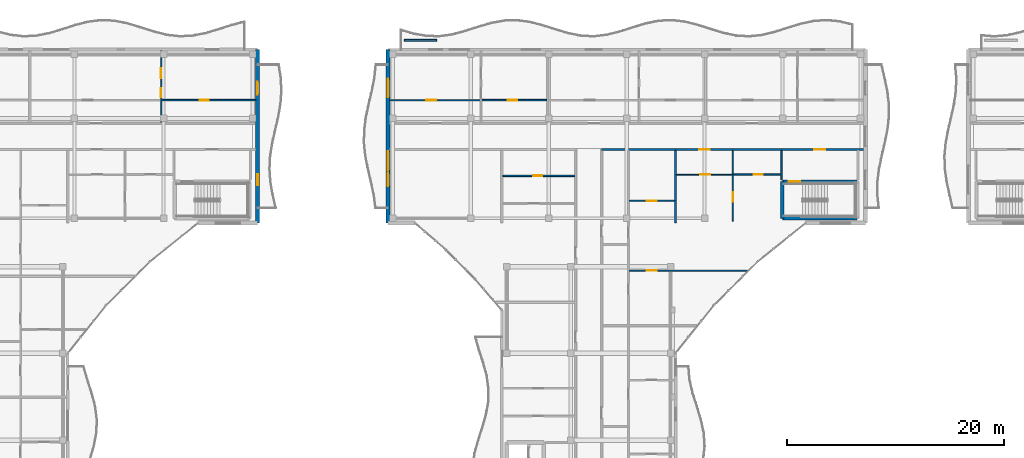
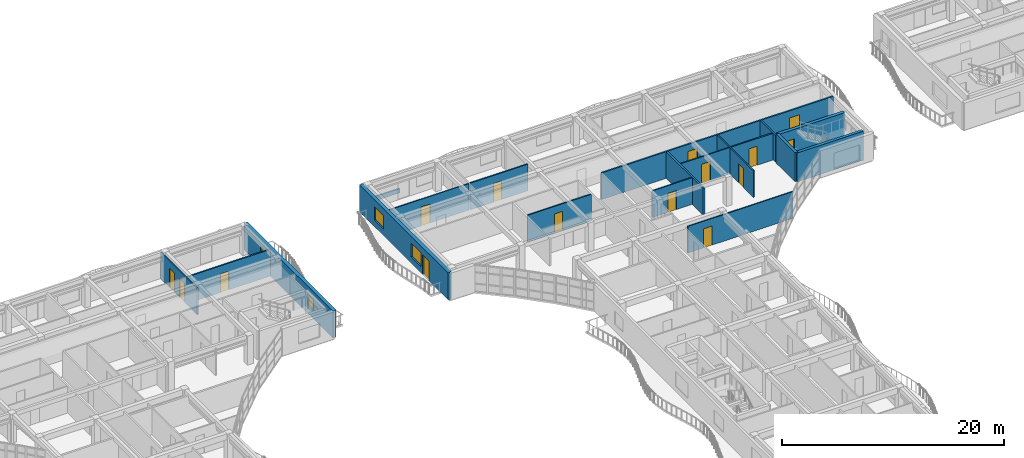
# One storey, part 47 of 79: 19 walls, 16 doors, 3 windows, 19 openings.
"""IFC4 building model written with IfcOpenShell, lengths in metres."""

import ifcopenshell
import ifcopenshell.guid

model = None  # the IFC model being written
_history = None  # IfcOwnerHistory: only IFC2X3 demands one
_inside = {}  # id of a spatial element -> (the spatial element, [elements in it])
_under = {}  # id of a project, library or spatial element -> (it, [spatial elements below it])
_declared = {}  # id of a project -> (the project, [libraries it declares])
_typed = {}  # id of a type object -> (the type object, [elements of that type])
_made_of = {}  # id of a material, layer set ... -> (it, [elements and type objects made of it])


def new_model(schema):
    """Start an empty IFC model of exactly this schema.

    Asked for "IFC4X3", IfcOpenShell would pick the latest addendum, in which some entities
    have other attributes; the version numbers below select the first issue.
    IFC2X3 requires an IfcOwnerHistory on every rooted entity: one is made here for all.
    """
    global model, _history
    if schema == "IFC4X3":
        model = ifcopenshell.file(schema_version=(4, 3, 0, 0))
    else:
        model = ifcopenshell.file(schema=schema)
    _inside.clear()
    _under.clear()
    _declared.clear()
    _typed.clear()
    _made_of.clear()
    _history = None
    if model.schema == "IFC2X3":
        org = make("IfcOrganization", Name="unknown")
        user = make(
            "IfcPersonAndOrganization",
            ThePerson=make("IfcPerson", FamilyName="unknown"),
            TheOrganization=org,
        )
        app = make(
            "IfcApplication",
            ApplicationDeveloper=org,
            Version="unknown",
            ApplicationFullName="unknown",
            ApplicationIdentifier="unknown",
        )
        _history = make(
            "IfcOwnerHistory",
            OwningUser=user,
            OwningApplication=app,
            ChangeAction="ADDED",
            CreationDate=0,
        )
    return model


def make(cls, **values):
    """One entity of the class cls with the attributes given. An attribute that is None is left unset."""
    return model.create_entity(
        cls, **{name: value for name, value in values.items() if value is not None}
    )


def rooted(cls, **values):
    """An entity with a GlobalId (a new one), such as an element, a storey or a relation."""
    return make(cls, GlobalId=ifcopenshell.guid.new(), OwnerHistory=_history, **values)


def si_unit(unit_type, name, prefix=None):
    """IfcSIUnit, for example si_unit("LENGTHUNIT", "METRE", prefix="MILLI")."""
    return make("IfcSIUnit", UnitType=unit_type, Prefix=prefix, Name=name)


def assignment(units):
    """IfcUnitAssignment: the units of a project."""
    return None if units is None else make("IfcUnitAssignment", Units=units)


def point(xyz):
    """IfcCartesianPoint."""
    return None if xyz is None else make("IfcCartesianPoint", Coordinates=xyz)


def direction(xyz):
    """IfcDirection."""
    return None if xyz is None else make("IfcDirection", DirectionRatios=xyz)


def frame(location, z_axis=None, x_axis=None):
    """IfcAxis2Placement3D, a coordinate frame: its origin and axes. An axis left out is left unset."""
    return make(
        "IfcAxis2Placement3D",
        Location=point(location),
        Axis=direction(z_axis),
        RefDirection=direction(x_axis),
    )


def frame_2d(location, x_axis=None):
    """IfcAxis2Placement2D, a coordinate frame in the plane: its origin and x axis."""
    return make(
        "IfcAxis2Placement2D", Location=point(location), RefDirection=direction(x_axis)
    )


def origin():
    """The frame at (0, 0, 0) with its axes left unset."""
    return frame((0.0, 0.0, 0.0))


def place(relative_to, where):
    """IfcLocalPlacement: puts the frame where relative to a parent placement (None: the world)."""
    return make(
        "IfcLocalPlacement", PlacementRelTo=relative_to, RelativePlacement=where
    )


def context(
    kind, dimensions, precision=None, world=None, true_north=None, identifier=None
):
    """IfcGeometricRepresentationContext, for example the 3D "Model" context."""
    return make(
        "IfcGeometricRepresentationContext",
        ContextIdentifier=identifier,
        ContextType=kind,
        CoordinateSpaceDimension=dimensions,
        Precision=precision,
        WorldCoordinateSystem=world,
        TrueNorth=true_north,
    )


def subcontext(parent, identifier, kind, view, scale=None):
    """IfcGeometricRepresentationSubContext, for example "Body" below "Model"."""
    return make(
        "IfcGeometricRepresentationSubContext",
        ContextIdentifier=identifier,
        ContextType=kind,
        ParentContext=parent,
        TargetScale=scale,
        TargetView=view,
    )


def project(units=None, contexts=None):
    """IfcProject with its units and contexts."""
    return rooted(
        "IfcProject",
        Name="project",
        RepresentationContexts=contexts,
        UnitsInContext=assignment(units),
    )


def spatial(cls, under=None, at=None, **own):
    """A site, building, storey or space (cls), placed at a placement, below another one or the project."""
    s = rooted(cls, ObjectPlacement=at, **own)
    if under is not None:
        _under.setdefault(under.id(), (under, []))[1].append(s)
    return s


def profile(cls, at=None, kind="AREA", **sizes):
    """A parametric profile (cls). Its sizes go by their IFC names, for example OverallWidth=200.0."""
    return make(cls, ProfileType=kind, Position=at, **sizes)


def rectangle(**sizes):
    """IfcRectangleProfileDef."""
    return profile("IfcRectangleProfileDef", **sizes)


def extrude(swept, where, along, depth):
    """IfcExtrudedAreaSolid: the profile swept, set in the frame where, extruded along a direction by depth."""
    return make(
        "IfcExtrudedAreaSolid",
        SweptArea=swept,
        Position=where,
        ExtrudedDirection=direction(along),
        Depth=depth,
    )


def shape(context_of_items, identifier, shape_type, items):
    """IfcShapeRepresentation: the items that make up one representation, for example the "Body"."""
    return make(
        "IfcShapeRepresentation",
        ContextOfItems=context_of_items,
        RepresentationIdentifier=identifier,
        RepresentationType=shape_type,
        Items=items,
    )


def material(Name=None, Category=None):
    """IfcMaterial."""
    return make("IfcMaterial", Name=Name, Category=Category)


def layer(
    of_material, thickness, ventilated=None, Name=None, Category=None, Priority=None
):
    """IfcMaterialLayer: one layer of a wall or slab, of a material (None: an air gap)."""
    return make(
        "IfcMaterialLayer",
        Material=of_material,
        LayerThickness=thickness,
        IsVentilated=ventilated,
        Name=Name,
        Category=Category,
        Priority=Priority,
    )


def layer_set(layers, Name=None):
    """IfcMaterialLayerSet."""
    return make("IfcMaterialLayerSet", MaterialLayers=layers, LayerSetName=Name)


def made_of(thing, what):
    """Note that an element or type object is made of a material, layer set ...; save() writes the relation."""
    if what is not None:
        _made_of.setdefault(what.id(), (what, []))[1].append(thing)
    return thing


def type_object(cls, material=None, **own):
    """A type object (cls), such as IfcWallType, which elements share."""
    return made_of(rooted(cls, **own), material)


def element(
    cls,
    number,
    at=None,
    inside=None,
    cuts=None,
    type_object=None,
    material=None,
    context=None,
    identifier="Body",
    shape_type=None,
    held_by="IfcProductDefinitionShape",
    body=None,
    shapes=None,
    **own,
):
    """One element of the class cls, such as IfcWall. Its Tag is "e" and its number.

    at: its placement. inside: the storey or other place that contains it. cuts: it is an
    opening in that element (IfcRelVoidsElement). A single representation is given by context,
    identifier, shape_type and body (its items); several are given by shapes. held_by: the class
    of the entity that holds the representations. save() writes the other relations.
    """
    e = rooted(cls, Tag="e%d" % number, ObjectPlacement=at, **own)
    if body is not None:
        shapes = [shape(context, identifier, shape_type, body)]
    if shapes is not None:
        e.Representation = make(held_by, Representations=shapes)
    if inside is not None:
        _inside.setdefault(inside.id(), (inside, []))[1].append(e)
    if cuts is not None:
        rooted(
            "IfcRelVoidsElement", RelatingBuildingElement=cuts, RelatedOpeningElement=e
        )
    if type_object is not None:
        _typed.setdefault(type_object.id(), (type_object, []))[1].append(e)
    return made_of(e, material)


def fill(opening, filler):
    """IfcRelFillsElement: the door or window that sits in an opening."""
    return rooted(
        "IfcRelFillsElement",
        RelatingOpeningElement=opening,
        RelatedBuildingElement=filler,
    )


def aggregate(whole, parts):
    """IfcRelAggregates: a whole, such as a stair, and the parts it consists of."""
    return rooted("IfcRelAggregates", RelatingObject=whole, RelatedObjects=parts)


def save(model, path):
    """Write the relations noted so far, then the file.

    IfcRelAggregates (storeys below a building ...), IfcRelContainedInSpatialStructure (elements
    in a storey), IfcRelDefinesByType, IfcRelAssociatesMaterial and IfcRelDeclares: one each for
    every whole, place, type object, material and project.
    """
    for whole, parts in _under.values():
        aggregate(whole, parts)
    for where, things in _inside.values():
        rooted(
            "IfcRelContainedInSpatialStructure",
            RelatedElements=things,
            RelatingStructure=where,
        )
    for kind, things in _typed.values():
        rooted("IfcRelDefinesByType", RelatedObjects=things, RelatingType=kind)
    for what, things in _made_of.values():
        rooted("IfcRelAssociatesMaterial", RelatedObjects=things, RelatingMaterial=what)
    for by, libraries in _declared.values():
        rooted("IfcRelDeclares", RelatingContext=by, RelatedDefinitions=libraries)
    model.write(path)


model = new_model("IFC4")

# Units and contexts
model_context = context("Model", 3, precision=1e-05, world=origin(), true_north=direction((0.0, 1.0)))
body_context = subcontext(model_context, "Body", "Model", "MODEL_VIEW")
ifc_project = project(units=[si_unit("LENGTHUNIT", "METRE"), si_unit("AREAUNIT", "SQUARE_METRE"), si_unit("VOLUMEUNIT", "CUBIC_METRE"), si_unit("PLANEANGLEUNIT", "RADIAN"), si_unit("MASSUNIT", "GRAM", prefix="KILO")], contexts=[model_context])

# Site, building, storey
site_placement = place(None, origin())
site = spatial("IfcSite", under=ifc_project, at=site_placement, CompositionType="ELEMENT")
building_placement = place(site_placement, origin())
building = spatial("IfcBuilding", under=site, at=building_placement, Name="Keldmere Railside Commons", CompositionType="ELEMENT")
storey_placement = place(building_placement, frame((0.0, 0.0, 10.56005859375)))
storey = spatial("IfcBuildingStorey", under=building, at=storey_placement, Name="L03", CompositionType="ELEMENT", Elevation=10.56005859375)

# Wall
ifc_material_1 = material(Name="Acoustic Gypsum Board Partition", Category="gypsum")
ifc_layer_1 = layer(ifc_material_1, 0.179931640625, Name="Acoustic Demising Partition 180")
ifc_layer_set_1 = layer_set([ifc_layer_1], Name="Acoustic Gypsum Board Partition")
wall_type_1 = type_object("IfcWallType", Name="Acoustic Demising Partition 180", PredefinedType="PARTITIONING", material=ifc_layer_set_1)
wall_1_placement = place(storey_placement, frame((120.0, 100.050048828125, 0.0), z_axis=(0.0, 0.0, 1.0), x_axis=(0.0, 1.0, 0.0)))
element("IfcWall", 1, at=wall_1_placement, inside=storey, type_object=wall_type_1, Name="IW-1 IW-L03-1014", PredefinedType="PARTITIONING", context=body_context, shape_type="SweptSolid", body=[
    extrude(rectangle(XDim=6.669921875, YDim=0.179931640625, at=frame_2d((3.3349609375, 0.0))), origin(), (0.0, 0.0, 1.0), 2.93505859375),
])

# Wall, openings, doors
ifc_layer_2 = layer(ifc_material_1, 0.1201171875, Name="Apartment Interior Partition 120")
ifc_layer_set_2 = layer_set([ifc_layer_2], Name="Acoustic Gypsum Board Partition")
wall_type_2 = type_object("IfcWallType", Name="Apartment Interior Partition 120", PredefinedType="PARTITIONING", material=ifc_layer_set_2)
wall_2_placement = place(storey_placement, frame((72.610107421875, 109.280029296875, 0.0), z_axis=(0.0, 0.0, 1.0), x_axis=(0.0, 1.0, 0.0)))
wall_2 = element("IfcWall", 2, at=wall_2_placement, inside=storey, type_object=wall_type_2, Name="IW-4 IW-L03-0625", PredefinedType="PARTITIONING", context=body_context, shape_type="SweptSolid", body=[
    extrude(rectangle(XDim=6.590087890625, YDim=0.1201171875, at=frame_2d((3.294921875, 0.0))), origin(), (0.0, 0.0, 1.0), 2.93505859375),
])
opening_1_placement = place(wall_2_placement, frame((2.305908203125, 0.0, 0.0)))
opening_1 = element("IfcOpeningElement", 3, at=opening_1_placement, cuts=wall_2, Name="Opening ID-04", PredefinedType="OPENING", context=body_context, shape_type="SweptSolid", body=[
    extrude(rectangle(XDim=0.860107421875, YDim=2.10009765625, at=frame_2d((0.43017578125, 1.050048828125))), frame((0.0, 0.070068359375, 0.0), z_axis=(0.0, -1.0, 0.0), x_axis=(1.0, 0.0, 0.0)), (0.0, 0.0, 1.0), 0.14013671875),
])
opening_2_placement = place(wall_2_placement, frame((4.093017578125, 0.0, 0.0)))
opening_2 = element("IfcOpeningElement", 4, at=opening_2_placement, cuts=wall_2, Name="Opening ID-01", PredefinedType="OPENING", context=body_context, shape_type="SweptSolid", body=[
    extrude(rectangle(XDim=0.89990234375, YDim=2.10009765625, at=frame_2d((0.449951171875, 1.050048828125))), frame((0.0, 0.070068359375, 0.0), z_axis=(0.0, -1.0, 0.0), x_axis=(1.0, 0.0, 0.0)), (0.0, 0.0, 1.0), 0.14013671875),
])
ifc_material_2 = material(Name="Engineered Oak Timber", Category="wood")
door_type_1 = type_object("IfcDoorType", Name="Apartment Bathroom Door 860x2100", OperationType="NOTDEFINED", PredefinedType="DOOR", material=ifc_material_2)
door_1_placement = place(opening_1_placement, origin())
door_1 = element("IfcDoor", 5, at=door_1_placement, inside=storey, type_object=door_type_1, Name="ID-04 IDR-L03-0517", OperationType="SINGLE_SWING_LEFT", OverallHeight=2.10009765625, OverallWidth=0.860107421875, PredefinedType="DOOR", context=body_context, shape_type="SweptSolid", body=[
    extrude(rectangle(XDim=0.860107421875, YDim=2.10009765625, at=frame_2d((0.43017578125, 1.050048828125))), frame((0.0, 0.02490234375, 0.0), z_axis=(0.0, -1.0, 0.0), x_axis=(1.0, 0.0, 0.0)), (0.0, 0.0, 1.0), 0.050048828125),
])
fill(opening_1, door_1)
door_type_2 = type_object("IfcDoorType", Name="Primary Bedroom Door 900x2100", OperationType="NOTDEFINED", PredefinedType="DOOR", material=ifc_material_2)
door_2_placement = place(opening_2_placement, origin())
door_2 = element("IfcDoor", 6, at=door_2_placement, inside=storey, type_object=door_type_2, Name="ID-01 IDR-L03-0518", OperationType="SINGLE_SWING_RIGHT", OverallHeight=2.10009765625, OverallWidth=0.89990234375, PredefinedType="DOOR", context=body_context, shape_type="SweptSolid", body=[
    extrude(rectangle(XDim=0.89990234375, YDim=2.10009765625, at=frame_2d((0.449951171875, 1.050048828125))), frame((0.0, 0.02490234375, 0.0), z_axis=(0.0, -1.0, 0.0), x_axis=(1.0, 0.0, 0.0)), (0.0, 0.0, 1.0), 0.050048828125),
])
fill(opening_2, door_2)

# Wall, opening, door
wall_3_placement = place(storey_placement, frame((115.719970703125, 95.6201171875, 0.0), z_axis=(0.0, 0.0, 1.0), x_axis=(1.0, 0.0, 0.0)))
wall_3 = element("IfcWall", 7, at=wall_3_placement, inside=storey, type_object=wall_type_2, Name="IW-4 IW-L03-1030", PredefinedType="PARTITIONING", context=body_context, shape_type="SweptSolid", body=[
    extrude(rectangle(XDim=10.967529296875, YDim=0.1201171875, at=frame_2d((5.48388671875, 0.0))), origin(), (0.0, 0.0, 1.0), 2.93505859375),
])
opening_3_placement = place(wall_3_placement, frame((1.64501953125, 0.0, 0.0)))
opening_3 = element("IfcOpeningElement", 8, at=opening_3_placement, cuts=wall_3, Name="Opening ID-01", PredefinedType="OPENING", context=body_context, shape_type="SweptSolid", body=[
    extrude(rectangle(XDim=0.89990234375, YDim=2.10009765625, at=frame_2d((0.449951171875, 1.050048828125))), frame((0.0, 0.070068359375, 0.0), z_axis=(0.0, -1.0, 0.0), x_axis=(1.0, 0.0, 0.0)), (0.0, 0.0, 1.0), 0.14013671875),
])
door_3_placement = place(opening_3_placement, origin())
door_3 = element("IfcDoor", 9, at=door_3_placement, inside=storey, type_object=door_type_2, Name="ID-01 IDR-L03-0898", OperationType="SINGLE_SWING_RIGHT", OverallHeight=2.10009765625, OverallWidth=0.89990234375, PredefinedType="DOOR", context=body_context, shape_type="SweptSolid", body=[
    extrude(rectangle(XDim=0.89990234375, YDim=2.10009765625, at=frame_2d((0.449951171875, 1.050048828125))), frame((0.0, 0.02490234375, 0.0), z_axis=(0.0, -1.0, 0.0), x_axis=(1.0, 0.0, 0.0)), (0.0, 0.0, 1.0), 0.050048828125),
])
fill(opening_3, door_3)

wall_4_placement = place(storey_placement, frame((115.719970703125, 102.06005859375, 0.0), z_axis=(0.0, 0.0, 1.0), x_axis=(1.0, 0.0, 0.0)))
wall_4 = element("IfcWall", 10, at=wall_4_placement, inside=storey, type_object=wall_type_2, Name="IW-4 IW-L03-1031", PredefinedType="PARTITIONING", context=body_context, shape_type="SweptSolid", body=[
    extrude(rectangle(XDim=4.18994140625, YDim=0.1201171875, at=frame_2d((2.094970703125, 0.0))), origin(), (0.0, 0.0, 1.0), 2.93505859375),
])
opening_4_placement = place(wall_4_placement, frame((1.655029296875, 0.0, 0.0)))
opening_4 = element("IfcOpeningElement", 11, at=opening_4_placement, cuts=wall_4, Name="Opening ID-02", PredefinedType="OPENING", context=body_context, shape_type="SweptSolid", body=[
    extrude(rectangle(XDim=0.8798828125, YDim=2.10009765625, at=frame_2d((0.43994140625, 1.050048828125))), frame((0.0, 0.070068359375, 0.0), z_axis=(0.0, -1.0, 0.0), x_axis=(1.0, 0.0, 0.0)), (0.0, 0.0, 1.0), 0.14013671875),
])
door_type_3 = type_object("IfcDoorType", Name="Secondary Bedroom Door 880x2100", OperationType="NOTDEFINED", PredefinedType="DOOR", material=ifc_material_2)
door_4_placement = place(opening_4_placement, origin())
door_4 = element("IfcDoor", 12, at=door_4_placement, inside=storey, type_object=door_type_3, Name="ID-02 IDR-L03-0899", OperationType="SINGLE_SWING_LEFT", OverallHeight=2.10009765625, OverallWidth=0.8798828125, PredefinedType="DOOR", context=body_context, shape_type="SweptSolid", body=[
    extrude(rectangle(XDim=0.8798828125, YDim=2.10009765625, at=frame_2d((0.43994140625, 1.050048828125))), frame((0.0, 0.02490234375, 0.0), z_axis=(0.0, -1.0, 0.0), x_axis=(1.0, 0.0, 0.0)), (0.0, 0.0, 1.0), 0.050048828125),
])
fill(opening_4, door_4)

wall_5_placement = place(storey_placement, frame((125.280029296875, 100.179931640625, 0.0), z_axis=(0.0, 0.0, 1.0), x_axis=(0.0, 1.0, 0.0)))
wall_5 = element("IfcWall", 13, at=wall_5_placement, inside=storey, type_object=wall_type_2, Name="IW-4 IW-L03-1043", PredefinedType="PARTITIONING", context=body_context, shape_type="SweptSolid", body=[
    extrude(rectangle(XDim=6.5400390625, YDim=0.1201171875, at=frame_2d((3.27001953125, 0.0))), origin(), (0.0, 0.0, 1.0), 2.93505859375),
])
opening_5_placement = place(wall_5_placement, frame((1.8017578125, 0.0, 0.0)))
opening_5 = element("IfcOpeningElement", 14, at=opening_5_placement, cuts=wall_5, Name="Opening ID-02", PredefinedType="OPENING", context=body_context, shape_type="SweptSolid", body=[
    extrude(rectangle(XDim=0.8798828125, YDim=2.10009765625, at=frame_2d((0.43994140625, 1.050048828125))), frame((0.0, 0.070068359375, 0.0), z_axis=(0.0, -1.0, 0.0), x_axis=(1.0, 0.0, 0.0)), (0.0, 0.0, 1.0), 0.14013671875),
])
door_5_placement = place(opening_5_placement, origin())
door_5 = element("IfcDoor", 15, at=door_5_placement, inside=storey, type_object=door_type_3, Name="ID-02 IDR-L03-0917", OperationType="SINGLE_SWING_LEFT", OverallHeight=2.10009765625, OverallWidth=0.8798828125, PredefinedType="DOOR", context=body_context, shape_type="SweptSolid", body=[
    extrude(rectangle(XDim=0.8798828125, YDim=2.10009765625, at=frame_2d((0.43994140625, 1.050048828125))), frame((0.0, 0.02490234375, 0.0), z_axis=(0.0, -1.0, 0.0), x_axis=(1.0, 0.0, 0.0)), (0.0, 0.0, 1.0), 0.050048828125),
])
fill(opening_5, door_5)

# Wall
ifc_material_3 = material(Name="White Precast Concrete H-35 (C35/45)", Category="concrete")
ifc_layer_3 = layer(ifc_material_3, 0.169921875, Name="Balcony Planter Kerb Wall 170")
ifc_layer_set_3 = layer_set([ifc_layer_3], Name="White Precast Concrete H-35 (C35/45)")
wall_type_3 = type_object("IfcWallType", Name="Balcony Planter Kerb Wall 170", PredefinedType="PARAPET", material=ifc_layer_set_3)
wall_6_placement = place(storey_placement, frame((95.0, 116.85009765625, 0.0), z_axis=(0.0, 0.0, 1.0), x_axis=(1.0, 0.0, 0.0)))
element("IfcWall", 16, at=wall_6_placement, inside=storey, type_object=wall_type_3, Name="PW-2 PKBB-L03-0610", PredefinedType="PARAPET", context=body_context, shape_type="SweptSolid", body=[
    extrude(rectangle(XDim=3.0, YDim=0.169921875, at=frame_2d((1.5, 0.0))), origin(), (0.0, 0.0, 1.0), 0.449951171875),
])

# Wall, opening, door
ifc_layer_4 = layer(ifc_material_1, 0.10009765625, Name="Closet Light Partition 100")
ifc_layer_set_4 = layer_set([ifc_layer_4], Name="Acoustic Gypsum Board Partition")
wall_type_4 = type_object("IfcWallType", Name="Closet Light Partition 100", PredefinedType="PARTITIONING", material=ifc_layer_set_4)
wall_7_placement = place(storey_placement, frame((93.679931640625, 111.330078125, 0.0), z_axis=(0.0, 0.0, 1.0), x_axis=(1.0, 0.0, 0.0)))
wall_7 = element("IfcWall", 17, at=wall_7_placement, inside=storey, type_object=wall_type_4, Name="IW-6 IW-L03-1036", PredefinedType="PARTITIONING", context=body_context, shape_type="SweptSolid", body=[
    extrude(rectangle(XDim=8.330078125, YDim=0.10009765625, at=frame_2d((4.1650390625, 0.0))), origin(), (0.0, 0.0, 1.0), 2.93505859375),
])
opening_6_placement = place(wall_7_placement, frame((3.35595703125, 0.0, 0.0)))
opening_6 = element("IfcOpeningElement", 18, at=opening_6_placement, cuts=wall_7, Name="Opening ID-03", PredefinedType="OPENING", context=body_context, shape_type="SweptSolid", body=[
    extrude(rectangle(XDim=0.919921875, YDim=2.10009765625, at=frame_2d((0.4599609375, 1.050048828125))), frame((0.0, 0.06005859375, 0.0), z_axis=(0.0, -1.0, 0.0), x_axis=(1.0, 0.0, 0.0)), (0.0, 0.0, 1.0), 0.1201171875),
])
door_type_4 = type_object("IfcDoorType", Name="Kitchen Pocket-Frame Swing Door 920x2100", OperationType="NOTDEFINED", PredefinedType="DOOR", material=ifc_material_2)
door_6_placement = place(opening_6_placement, origin())
door_6 = element("IfcDoor", 19, at=door_6_placement, inside=storey, type_object=door_type_4, Name="ID-03 IDR-L03-0901", OperationType="SINGLE_SWING_LEFT", OverallHeight=2.10009765625, OverallWidth=0.919921875, PredefinedType="DOOR", context=body_context, shape_type="SweptSolid", body=[
    extrude(rectangle(XDim=0.919921875, YDim=2.10009765625, at=frame_2d((0.4599609375, 1.050048828125))), frame((0.0, 0.02490234375, 0.0), z_axis=(0.0, -1.0, 0.0), x_axis=(1.0, 0.0, 0.0)), (0.0, 0.0, 1.0), 0.050048828125),
])
fill(opening_6, door_6)

wall_8_placement = place(storey_placement, frame((120.090087890625, 104.469970703125, 0.0), z_axis=(0.0, 0.0, 1.0), x_axis=(1.0, 0.0, 0.0)))
wall_8 = element("IfcWall", 20, at=wall_8_placement, inside=storey, type_object=wall_type_4, Name="IW-6 IW-L03-1045", PredefinedType="PARTITIONING", context=body_context, shape_type="SweptSolid", body=[
    extrude(rectangle(XDim=5.1298828125, YDim=0.10009765625, at=frame_2d((2.56494140625, 0.0))), origin(), (0.0, 0.0, 1.0), 2.93505859375),
])
opening_7_placement = place(wall_8_placement, frame((2.1796875, 0.0, 0.0)))
opening_7 = element("IfcOpeningElement", 21, at=opening_7_placement, cuts=wall_8, Name="Opening ID-03", PredefinedType="OPENING", context=body_context, shape_type="SweptSolid", body=[
    extrude(rectangle(XDim=0.919921875, YDim=2.10009765625, at=frame_2d((0.4599609375, 1.050048828125))), frame((0.0, 0.06005859375, 0.0), z_axis=(0.0, -1.0, 0.0), x_axis=(1.0, 0.0, 0.0)), (0.0, 0.0, 1.0), 0.1201171875),
])
door_7_placement = place(opening_7_placement, origin())
door_7 = element("IfcDoor", 22, at=door_7_placement, inside=storey, type_object=door_type_4, Name="ID-03 IDR-L03-0916", OperationType="SINGLE_SWING_RIGHT", OverallHeight=2.10009765625, OverallWidth=0.919921875, PredefinedType="DOOR", context=body_context, shape_type="SweptSolid", body=[
    extrude(rectangle(XDim=0.919921875, YDim=2.10009765625, at=frame_2d((0.4599609375, 1.050048828125))), frame((0.0, 0.02490234375, 0.0), z_axis=(0.0, -1.0, 0.0), x_axis=(1.0, 0.0, 0.0)), (0.0, 0.0, 1.0), 0.050048828125),
])
fill(opening_7, door_7)

# Wall, openings, doors
ifc_layer_5 = layer(ifc_material_1, 0.159912109375, Name="Corridor Fire Partition 160")
ifc_layer_set_5 = layer_set([ifc_layer_5], Name="Acoustic Gypsum Board Partition")
wall_type_5 = type_object("IfcWallType", Name="Corridor Fire Partition 160", PredefinedType="PARTITIONING", material=ifc_layer_set_5)
wall_9_placement = place(storey_placement, frame((113.199951171875, 106.800048828125, 0.0), z_axis=(0.0, 0.0, 1.0), x_axis=(1.0, 0.0, 0.0)))
wall_9 = element("IfcWall", 23, at=wall_9_placement, inside=storey, type_object=wall_type_5, Name="IW-2 IW-L03-1012", PredefinedType="PARTITIONING", context=body_context, shape_type="SweptSolid", body=[
    extrude(rectangle(XDim=24.1201171875, YDim=0.159912109375, at=frame_2d((12.06005859375, 0.0))), origin(), (0.0, 0.0, 1.0), 2.93505859375),
])
opening_8_placement = place(wall_9_placement, frame((19.574951171875, 0.0, 0.0)))
opening_8 = element("IfcOpeningElement", 24, at=opening_8_placement, cuts=wall_9, Name="Opening FD-1", PredefinedType="OPENING", context=body_context, shape_type="SweptSolid", body=[
    extrude(rectangle(XDim=1.050048828125, YDim=2.14990234375, at=frame_2d((0.52490234375, 1.074951171875))), frame((0.0, 0.08984375, 0.0), z_axis=(0.0, -1.0, 0.0), x_axis=(1.0, 0.0, 0.0)), (0.0, 0.0, 1.0), 0.179931640625),
])
opening_9_placement = place(wall_9_placement, frame((8.9951171875, 0.0, 0.0)))
opening_9 = element("IfcOpeningElement", 25, at=opening_9_placement, cuts=wall_9, Name="Opening FD-7", PredefinedType="OPENING", context=body_context, shape_type="SweptSolid", body=[
    extrude(rectangle(XDim=0.97998046875, YDim=2.14990234375, at=frame_2d((0.489990234375, 1.074951171875))), frame((0.0, 0.08984375, 0.0), z_axis=(0.0, -1.0, 0.0), x_axis=(1.0, 0.0, 0.0)), (0.0, 0.0, 1.0), 0.179931640625),
])
door_type_5 = type_object("IfcDoorType", Name="Apartment Entrance Acoustic Fire Door 980x2150", OperationType="NOTDEFINED", PredefinedType="DOOR", material=ifc_material_2)
door_8_placement = place(opening_9_placement, origin())
door_8 = element("IfcDoor", 26, at=door_8_placement, inside=storey, type_object=door_type_5, Name="FD-7 IDR-L03-0915", OperationType="SINGLE_SWING_LEFT", OverallHeight=2.14990234375, OverallWidth=0.97998046875, PredefinedType="DOOR", context=body_context, shape_type="SweptSolid", body=[
    extrude(rectangle(XDim=0.97998046875, YDim=2.14990234375, at=frame_2d((0.489990234375, 1.074951171875))), frame((0.0, 0.02490234375, 0.0), z_axis=(0.0, -1.0, 0.0), x_axis=(1.0, 0.0, 0.0)), (0.0, 0.0, 1.0), 0.050048828125),
])
fill(opening_9, door_8)
ifc_material_4 = material(Name="Steel F-24 (S235)", Category="steel")
door_type_6 = type_object("IfcDoorType", Name="Stair Core Fire Door 1050x2150", OperationType="NOTDEFINED", PredefinedType="DOOR", material=ifc_material_4)
door_9_placement = place(opening_8_placement, origin())
door_9 = element("IfcDoor", 27, at=door_9_placement, inside=storey, type_object=door_type_6, Name="FD-1 IDR-L03-0882", OperationType="SINGLE_SWING_RIGHT", OverallHeight=2.14990234375, OverallWidth=1.050048828125, PredefinedType="DOOR", context=body_context, shape_type="SweptSolid", body=[
    extrude(rectangle(XDim=1.050048828125, YDim=2.14990234375, at=frame_2d((0.52490234375, 1.074951171875))), frame((0.0, 0.02490234375, 0.0), z_axis=(0.0, -1.0, 0.0), x_axis=(1.0, 0.0, 0.0)), (0.0, 0.0, 1.0), 0.050048828125),
])
fill(opening_8, door_9)

# Wall, openings, window, door
ifc_material_5 = material(Name="Concrete H-35 (C35/45)", Category="concrete")
ifc_layer_6 = layer(ifc_material_5, 0.360107421875, Name="Exterior Shear Wall 360")
ifc_layer_set_6 = layer_set([ifc_layer_6], Name="Concrete H-35 (C35/45)")
wall_type_6 = type_object("IfcWallType", Name="Exterior Shear Wall 360", PredefinedType="SHEAR", material=ifc_layer_set_6)
wall_10_placement = place(storey_placement, frame((81.5, 116.0, 0.0), z_axis=(0.0, 0.0, 1.0), x_axis=(0.0, -1.0, 0.0)))
wall_10 = element("IfcWall", 28, at=wall_10_placement, inside=storey, type_object=wall_type_6, Name="ESW-1 EXTC-L03-0347", PredefinedType="SHEAR", context=body_context, shape_type="SweptSolid", body=[
    extrude(rectangle(XDim=16.0, YDim=0.360107421875, at=frame_2d((8.0, 0.0))), origin(), (0.0, 0.0, 1.0), 2.97998046875),
])
opening_10_placement = place(wall_10_placement, frame((2.949951171875, 0.0, 0.0)))
opening_10 = element("IfcOpeningElement", 29, at=opening_10_placement, cuts=wall_10, Name="Opening BD-01", PredefinedType="OPENING", context=body_context, shape_type="SweptSolid", body=[
    extrude(rectangle(XDim=1.199951171875, YDim=2.199951171875, at=frame_2d((0.60009765625, 1.10009765625))), frame((0.0, 0.18994140625, 0.0), z_axis=(0.0, -1.0, 0.0), x_axis=(1.0, 0.0, 0.0)), (0.0, 0.0, 1.0), 0.380126953125),
])
opening_11_placement = place(wall_10_placement, frame((11.47509765625, 0.0, 0.89990234375)))
opening_11 = element("IfcOpeningElement", 30, at=opening_11_placement, cuts=wall_10, Name="Opening WN-13", PredefinedType="OPENING", context=body_context, shape_type="SweptSolid", body=[
    extrude(rectangle(XDim=1.050048828125, YDim=1.14990234375, at=frame_2d((0.52490234375, 0.574951171875))), frame((0.0, 0.18994140625, 0.0), z_axis=(0.0, -1.0, 0.0), x_axis=(1.0, 0.0, 0.0)), (0.0, 0.0, 1.0), 0.380126953125),
])
ifc_material_6 = material(Name="Low-E Insulated Double Glazing", Category="glass")
window_type_1 = type_object("IfcWindowType", Name="Apartment Kitchen Casement Window 1050x1150", PartitioningType="SINGLE_PANEL", PredefinedType="WINDOW", material=ifc_material_6)
window_1_placement = place(opening_11_placement, origin())
window_1 = element("IfcWindow", 31, at=window_1_placement, inside=storey, type_object=window_type_1, Name="WN-13 WIN-L03-0218", OverallHeight=1.14990234375, OverallWidth=1.050048828125, PartitioningType="SINGLE_PANEL", PredefinedType="WINDOW", context=body_context, shape_type="SweptSolid", body=[
    extrude(rectangle(XDim=1.050048828125, YDim=1.14990234375, at=frame_2d((0.52490234375, 0.574951171875))), frame((0.0, 0.030029296875, 0.0), z_axis=(0.0, -1.0, 0.0), x_axis=(1.0, 0.0, 0.0)), (0.0, 0.0, 1.0), 0.06005859375),
])
fill(opening_11, window_1)
ifc_material_7 = material(Name="Thermally Broken Aluminium", Category="aluminium")
door_type_7 = type_object("IfcDoorType", Name="Apartment Living Wave-Balcony Glazed Door 1200x2200", OperationType="NOTDEFINED", PredefinedType="DOOR", material=ifc_material_7)
door_10_placement = place(opening_10_placement, origin())
door_10 = element("IfcDoor", 32, at=door_10_placement, inside=storey, type_object=door_type_7, Name="BD-01 DR-L03-0071", OperationType="SINGLE_SWING_LEFT", OverallHeight=2.199951171875, OverallWidth=1.199951171875, PredefinedType="DOOR", context=body_context, shape_type="SweptSolid", body=[
    extrude(rectangle(XDim=1.199951171875, YDim=2.199951171875, at=frame_2d((0.60009765625, 1.10009765625))), frame((0.0, 0.02490234375, 0.0), z_axis=(0.0, -1.0, 0.0), x_axis=(1.0, 0.0, 0.0)), (0.0, 0.0, 1.0), 0.050048828125),
])
fill(opening_10, door_10)

# Wall, openings, door, windows
wall_11_placement = place(storey_placement, frame((93.5, 100.0, 0.0), z_axis=(0.0, 0.0, 1.0), x_axis=(0.0, 1.0, 0.0)))
wall_11 = element("IfcWall", 33, at=wall_11_placement, inside=storey, type_object=wall_type_6, Name="ESW-1 EXTB-L03-0607", PredefinedType="SHEAR", context=body_context, shape_type="SweptSolid", body=[
    extrude(rectangle(XDim=16.0, YDim=0.360107421875, at=frame_2d((8.0, 0.0))), origin(), (0.0, 0.0, 1.0), 2.97998046875),
])
opening_12_placement = place(wall_11_placement, frame((3.39990234375, 0.0, 0.0)))
opening_12 = element("IfcOpeningElement", 34, at=opening_12_placement, cuts=wall_11, Name="Opening BD-01", PredefinedType="OPENING", context=body_context, shape_type="SweptSolid", body=[
    extrude(rectangle(XDim=1.199951171875, YDim=2.199951171875, at=frame_2d((0.60009765625, 1.10009765625))), frame((0.0, 0.18994140625, 0.0), z_axis=(0.0, -1.0, 0.0), x_axis=(1.0, 0.0, 0.0)), (0.0, 0.0, 1.0), 0.380126953125),
])
opening_13_placement = place(wall_11_placement, frame((4.85009765625, 0.0, 0.719970703125)))
opening_13 = element("IfcOpeningElement", 35, at=opening_13_placement, cuts=wall_11, Name="Opening WN-01", PredefinedType="OPENING", context=body_context, shape_type="SweptSolid", body=[
    extrude(rectangle(XDim=1.800048828125, YDim=1.5, at=frame_2d((0.89990234375, 0.75))), frame((0.0, 0.18994140625, 0.0), z_axis=(0.0, -1.0, 0.0), x_axis=(1.0, 0.0, 0.0)), (0.0, 0.0, 1.0), 0.380126953125),
])
opening_14_placement = place(wall_11_placement, frame((11.60009765625, 0.0, 0.719970703125)))
opening_14 = element("IfcOpeningElement", 36, at=opening_14_placement, cuts=wall_11, Name="Opening WN-20", PredefinedType="OPENING", context=body_context, shape_type="SweptSolid", body=[
    extrude(rectangle(XDim=1.699951171875, YDim=1.5, at=frame_2d((0.85009765625, 0.75))), frame((0.0, 0.18994140625, 0.0), z_axis=(0.0, -1.0, 0.0), x_axis=(1.0, 0.0, 0.0)), (0.0, 0.0, 1.0), 0.380126953125),
])
door_11_placement = place(opening_12_placement, origin())
door_11 = element("IfcDoor", 37, at=door_11_placement, inside=storey, type_object=door_type_7, Name="BD-01 DR-L03-0150", OperationType="SINGLE_SWING_RIGHT", OverallHeight=2.199951171875, OverallWidth=1.199951171875, PredefinedType="DOOR", context=body_context, shape_type="SweptSolid", body=[
    extrude(rectangle(XDim=1.199951171875, YDim=2.199951171875, at=frame_2d((0.60009765625, 1.10009765625))), frame((0.0, 0.02490234375, 0.0), z_axis=(0.0, -1.0, 0.0), x_axis=(1.0, 0.0, 0.0)), (0.0, 0.0, 1.0), 0.050048828125),
])
fill(opening_12, door_11)
window_type_2 = type_object("IfcWindowType", Name="Living Room North Casement Window 1800x1500", PartitioningType="SINGLE_PANEL", PredefinedType="WINDOW", material=ifc_material_6)
window_2_placement = place(opening_13_placement, origin())
window_2 = element("IfcWindow", 38, at=window_2_placement, inside=storey, type_object=window_type_2, Name="WN-01 WIN-L03-0411", OverallHeight=1.5, OverallWidth=1.800048828125, PartitioningType="SINGLE_PANEL", PredefinedType="WINDOW", context=body_context, shape_type="SweptSolid", body=[
    extrude(rectangle(XDim=1.800048828125, YDim=1.5, at=frame_2d((0.89990234375, 0.75))), frame((0.0, 0.030029296875, 0.0), z_axis=(0.0, -1.0, 0.0), x_axis=(1.0, 0.0, 0.0)), (0.0, 0.0, 1.0), 0.06005859375),
])
fill(opening_13, window_2)
window_type_3 = type_object("IfcWindowType", Name="Study Room Quiet Casement Window 1700x1500", PartitioningType="SINGLE_PANEL", PredefinedType="WINDOW", material=ifc_material_6)
window_3_placement = place(opening_14_placement, origin())
window_3 = element("IfcWindow", 39, at=window_3_placement, inside=storey, type_object=window_type_3, Name="WN-20 WIN-L03-0412", OverallHeight=1.5, OverallWidth=1.699951171875, PartitioningType="SINGLE_PANEL", PredefinedType="WINDOW", context=body_context, shape_type="SweptSolid", body=[
    extrude(rectangle(XDim=1.699951171875, YDim=1.5, at=frame_2d((0.85009765625, 0.75))), frame((0.0, 0.030029296875, 0.0), z_axis=(0.0, -1.0, 0.0), x_axis=(1.0, 0.0, 0.0)), (0.0, 0.0, 1.0), 0.06005859375),
])
fill(opening_14, window_3)

# Walls
ifc_layer_7 = layer(ifc_material_5, 0.300048828125, Name="Interior Shear Wall 300")
ifc_layer_set_7 = layer_set([ifc_layer_7], Name="Concrete H-35 (C35/45)")
wall_type_7 = type_object("IfcWallType", Name="Interior Shear Wall 300", PredefinedType="SHEAR", material=ifc_layer_set_7)
wall_12_placement = place(storey_placement, frame((129.85009765625, 100.449951171875, 0.0), z_axis=(0.0, 0.0, 1.0), x_axis=(1.0, 0.0, 0.0)))
element("IfcWall", 40, at=wall_12_placement, inside=storey, type_object=wall_type_7, Name="ISW-2 COREB2S-L03-0476", PredefinedType="SHEAR", context=body_context, shape_type="SweptSolid", body=[
    extrude(rectangle(XDim=6.89990234375, YDim=0.300048828125, at=frame_2d((3.449951171875, 0.0))), origin(), (0.0, 0.0, 1.0), 3.199951171875),
])
wall_13_placement = place(storey_placement, frame((129.85009765625, 103.820068359375, 0.0), z_axis=(0.0, 0.0, 1.0), x_axis=(0.0, -1.0, 0.0)))
element("IfcWall", 41, at=wall_13_placement, inside=storey, type_object=wall_type_7, Name="ISW-2 COREB2W-L03-0478", PredefinedType="SHEAR", context=body_context, shape_type="SweptSolid", body=[
    extrude(rectangle(XDim=3.3701171875, YDim=0.300048828125, at=frame_2d((1.68505859375, 0.0))), origin(), (0.0, 0.0, 1.0), 3.199951171875),
])

# Wall, opening, door
ifc_layer_8 = layer(ifc_material_5, 0.340087890625, Name="Interior Shear Wall 340")
ifc_layer_set_8 = layer_set([ifc_layer_8], Name="Concrete H-35 (C35/45)")
wall_type_8 = type_object("IfcWallType", Name="Interior Shear Wall 340", PredefinedType="SHEAR", material=ifc_layer_set_8)
wall_14_placement = place(storey_placement, frame((136.75, 103.820068359375, 0.0), z_axis=(0.0, 0.0, 1.0), x_axis=(-1.0, 0.0, 0.0)))
wall_14 = element("IfcWall", 42, at=wall_14_placement, inside=storey, type_object=wall_type_8, Name="ISW-1 COREB2N-L03-0477", PredefinedType="SHEAR", context=body_context, shape_type="SweptSolid", body=[
    extrude(rectangle(XDim=6.89990234375, YDim=0.340087890625, at=frame_2d((3.449951171875, 0.0))), origin(), (0.0, 0.0, 1.0), 3.199951171875),
])
opening_15_placement = place(wall_14_placement, frame((5.25, 0.0, 0.0)))
opening_15 = element("IfcOpeningElement", 43, at=opening_15_placement, cuts=wall_14, Name="Opening FD-1", PredefinedType="OPENING", context=body_context, shape_type="SweptSolid", body=[
    extrude(rectangle(XDim=1.050048828125, YDim=2.14990234375, at=frame_2d((0.52490234375, 1.074951171875))), frame((0.0, 0.179931640625, 0.0), z_axis=(0.0, -1.0, 0.0), x_axis=(1.0, 0.0, 0.0)), (0.0, 0.0, 1.0), 0.360107421875),
])
door_12_placement = place(opening_15_placement, origin())
door_12 = element("IfcDoor", 44, at=door_12_placement, inside=storey, type_object=door_type_6, Name="FD-1 B2 L03", OperationType="SINGLE_SWING_RIGHT", OverallHeight=2.14990234375, OverallWidth=1.050048828125, PredefinedType="DOOR", context=body_context, shape_type="SweptSolid", body=[
    extrude(rectangle(XDim=1.050048828125, YDim=2.14990234375, at=frame_2d((0.52490234375, 1.074951171875))), frame((0.0, 0.02490234375, 0.0), z_axis=(0.0, -1.0, 0.0), x_axis=(1.0, 0.0, 0.0)), (0.0, 0.0, 1.0), 0.050048828125),
])
fill(opening_15, door_12)

# Wall
ifc_layer_9 = layer(ifc_material_1, 0.14990234375, Name="Lobby Rated Partition 150")
ifc_layer_set_9 = layer_set([ifc_layer_9], Name="Acoustic Gypsum Board Partition")
wall_type_9 = type_object("IfcWallType", Name="Lobby Rated Partition 150", PredefinedType="PARTITIONING", material=ifc_layer_set_9)
wall_15_placement = place(storey_placement, frame((129.780029296875, 103.989990234375, 0.0), z_axis=(0.0, 0.0, 1.0), x_axis=(0.0, 1.0, 0.0)))
element("IfcWall", 45, at=wall_15_placement, inside=storey, type_object=wall_type_9, Name="IW-3 IW-L03-1016", PredefinedType="PARTITIONING", context=body_context, shape_type="SweptSolid", body=[
    extrude(rectangle(XDim=2.72998046875, YDim=0.14990234375, at=frame_2d((1.364990234375, 0.0))), origin(), (0.0, 0.0, 1.0), 2.93505859375),
])

# Wall, opening, door
ifc_layer_10 = layer(ifc_material_1, 0.139892578125, Name="Wet-Room Sanitary Partition 140")
ifc_layer_set_10 = layer_set([ifc_layer_10], Name="Acoustic Gypsum Board Partition")
wall_type_10 = type_object("IfcWallType", Name="Wet-Room Sanitary Partition 140", PredefinedType="PARTITIONING", material=ifc_layer_set_10)
wall_16_placement = place(storey_placement, frame((72.669921875, 111.330078125, 0.0), z_axis=(0.0, 0.0, 1.0), x_axis=(1.0, 0.0, 0.0)))
wall_16 = element("IfcWall", 46, at=wall_16_placement, inside=storey, type_object=wall_type_10, Name="IW-5 IW-L03-0626", PredefinedType="PARTITIONING", context=body_context, shape_type="SweptSolid", body=[
    extrude(rectangle(XDim=8.650146484375, YDim=0.139892578125, at=frame_2d((4.3251953125, 0.0))), origin(), (0.0, 0.0, 1.0), 2.93505859375),
])
opening_16_placement = place(wall_16_placement, frame((3.48388671875, 0.0, 0.0)))
opening_16 = element("IfcOpeningElement", 47, at=opening_16_placement, cuts=wall_16, Name="Opening ID-06", PredefinedType="OPENING", context=body_context, shape_type="SweptSolid", body=[
    extrude(rectangle(XDim=0.85009765625, YDim=2.050048828125, at=frame_2d((0.425048828125, 1.02490234375))), frame((0.0, 0.079833984375, 0.0), z_axis=(0.0, -1.0, 0.0), x_axis=(1.0, 0.0, 0.0)), (0.0, 0.0, 1.0), 0.159912109375),
])
door_type_8 = type_object("IfcDoorType", Name="Storage Closet Door 850x2050", OperationType="NOTDEFINED", PredefinedType="DOOR", material=ifc_material_2)
door_13_placement = place(opening_16_placement, origin())
door_13 = element("IfcDoor", 48, at=door_13_placement, inside=storey, type_object=door_type_8, Name="ID-06 IDR-L03-0519", OperationType="SINGLE_SWING_LEFT", OverallHeight=2.050048828125, OverallWidth=0.85009765625, PredefinedType="DOOR", context=body_context, shape_type="SweptSolid", body=[
    extrude(rectangle(XDim=0.85009765625, YDim=2.050048828125, at=frame_2d((0.425048828125, 1.02490234375))), frame((0.0, 0.02490234375, 0.0), z_axis=(0.0, -1.0, 0.0), x_axis=(1.0, 0.0, 0.0)), (0.0, 0.0, 1.0), 0.050048828125),
])
fill(opening_16, door_13)

wall_17_placement = place(storey_placement, frame((102.1298828125, 111.330078125, 0.0), z_axis=(0.0, 0.0, 1.0), x_axis=(1.0, 0.0, 0.0)))
wall_17 = element("IfcWall", 49, at=wall_17_placement, inside=storey, type_object=wall_type_10, Name="IW-5 IW-L03-1035", PredefinedType="PARTITIONING", context=body_context, shape_type="SweptSolid", body=[
    extrude(rectangle(XDim=6.010009765625, YDim=0.139892578125, at=frame_2d((3.0048828125, 0.0))), origin(), (0.0, 0.0, 1.0), 2.93505859375),
])
opening_17_placement = place(wall_17_placement, frame((2.427978515625, 0.0, 0.0)))
opening_17 = element("IfcOpeningElement", 50, at=opening_17_placement, cuts=wall_17, Name="Opening ID-06", PredefinedType="OPENING", context=body_context, shape_type="SweptSolid", body=[
    extrude(rectangle(XDim=0.85009765625, YDim=2.050048828125, at=frame_2d((0.425048828125, 1.02490234375))), frame((0.0, 0.079833984375, 0.0), z_axis=(0.0, -1.0, 0.0), x_axis=(1.0, 0.0, 0.0)), (0.0, 0.0, 1.0), 0.159912109375),
])
door_14_placement = place(opening_17_placement, origin())
door_14 = element("IfcDoor", 51, at=door_14_placement, inside=storey, type_object=door_type_8, Name="ID-06 IDR-L03-0904", OperationType="SINGLE_SWING_RIGHT", OverallHeight=2.050048828125, OverallWidth=0.85009765625, PredefinedType="DOOR", context=body_context, shape_type="SweptSolid", body=[
    extrude(rectangle(XDim=0.85009765625, YDim=2.050048828125, at=frame_2d((0.425048828125, 1.02490234375))), frame((0.0, 0.02490234375, 0.0), z_axis=(0.0, -1.0, 0.0), x_axis=(1.0, 0.0, 0.0)), (0.0, 0.0, 1.0), 0.050048828125),
])
fill(opening_17, door_14)

wall_18_placement = place(storey_placement, frame((125.340087890625, 104.469970703125, 0.0), z_axis=(0.0, 0.0, 1.0), x_axis=(1.0, 0.0, 0.0)))
wall_18 = element("IfcWall", 52, at=wall_18_placement, inside=storey, type_object=wall_type_10, Name="IW-5 IW-L03-1044", PredefinedType="PARTITIONING", context=body_context, shape_type="SweptSolid", body=[
    extrude(rectangle(XDim=4.35986328125, YDim=0.139892578125, at=frame_2d((2.179931640625, 0.0))), origin(), (0.0, 0.0, 1.0), 2.93505859375),
])
opening_18_placement = place(wall_18_placement, frame((1.8564453125, 0.0, 0.0)))
opening_18 = element("IfcOpeningElement", 53, at=opening_18_placement, cuts=wall_18, Name="Opening ID-04", PredefinedType="OPENING", context=body_context, shape_type="SweptSolid", body=[
    extrude(rectangle(XDim=0.860107421875, YDim=2.10009765625, at=frame_2d((0.43017578125, 1.050048828125))), frame((0.0, 0.079833984375, 0.0), z_axis=(0.0, -1.0, 0.0), x_axis=(1.0, 0.0, 0.0)), (0.0, 0.0, 1.0), 0.159912109375),
])
door_15_placement = place(opening_18_placement, origin())
door_15 = element("IfcDoor", 54, at=door_15_placement, inside=storey, type_object=door_type_1, Name="ID-04 IDR-L03-0918", OperationType="SINGLE_SWING_RIGHT", OverallHeight=2.10009765625, OverallWidth=0.860107421875, PredefinedType="DOOR", context=body_context, shape_type="SweptSolid", body=[
    extrude(rectangle(XDim=0.860107421875, YDim=2.10009765625, at=frame_2d((0.43017578125, 1.050048828125))), frame((0.0, 0.02490234375, 0.0), z_axis=(0.0, -1.0, 0.0), x_axis=(1.0, 0.0, 0.0)), (0.0, 0.0, 1.0), 0.050048828125),
])
fill(opening_18, door_15)

wall_19_placement = place(storey_placement, frame((104.090087890625, 104.3701171875, 0.0), z_axis=(0.0, 0.0, 1.0), x_axis=(1.0, 0.0, 0.0)))
wall_19 = element("IfcWall", 55, at=wall_19_placement, inside=storey, type_object=wall_type_10, Name="IW-5 IW-L03-1050", PredefinedType="PARTITIONING", context=body_context, shape_type="SweptSolid", body=[
    extrude(rectangle(XDim=6.6298828125, YDim=0.139892578125, at=frame_2d((3.31494140625, 0.0))), origin(), (0.0, 0.0, 1.0), 2.93505859375),
])
opening_19_placement = place(wall_19_placement, frame((2.78466796875, 0.0, 0.0)))
opening_19 = element("IfcOpeningElement", 56, at=opening_19_placement, cuts=wall_19, Name="Opening ID-04", PredefinedType="OPENING", context=body_context, shape_type="SweptSolid", body=[
    extrude(rectangle(XDim=0.860107421875, YDim=2.10009765625, at=frame_2d((0.43017578125, 1.050048828125))), frame((0.0, 0.079833984375, 0.0), z_axis=(0.0, -1.0, 0.0), x_axis=(1.0, 0.0, 0.0)), (0.0, 0.0, 1.0), 0.159912109375),
])
door_16_placement = place(opening_19_placement, origin())
door_16 = element("IfcDoor", 57, at=door_16_placement, inside=storey, type_object=door_type_1, Name="ID-04 IDR-L03-0923", OperationType="SINGLE_SWING_LEFT", OverallHeight=2.10009765625, OverallWidth=0.860107421875, PredefinedType="DOOR", context=body_context, shape_type="SweptSolid", body=[
    extrude(rectangle(XDim=0.860107421875, YDim=2.10009765625, at=frame_2d((0.43017578125, 1.050048828125))), frame((0.0, 0.02490234375, 0.0), z_axis=(0.0, -1.0, 0.0), x_axis=(1.0, 0.0, 0.0)), (0.0, 0.0, 1.0), 0.050048828125),
])
fill(opening_19, door_16)

save(model, "model.ifc")
